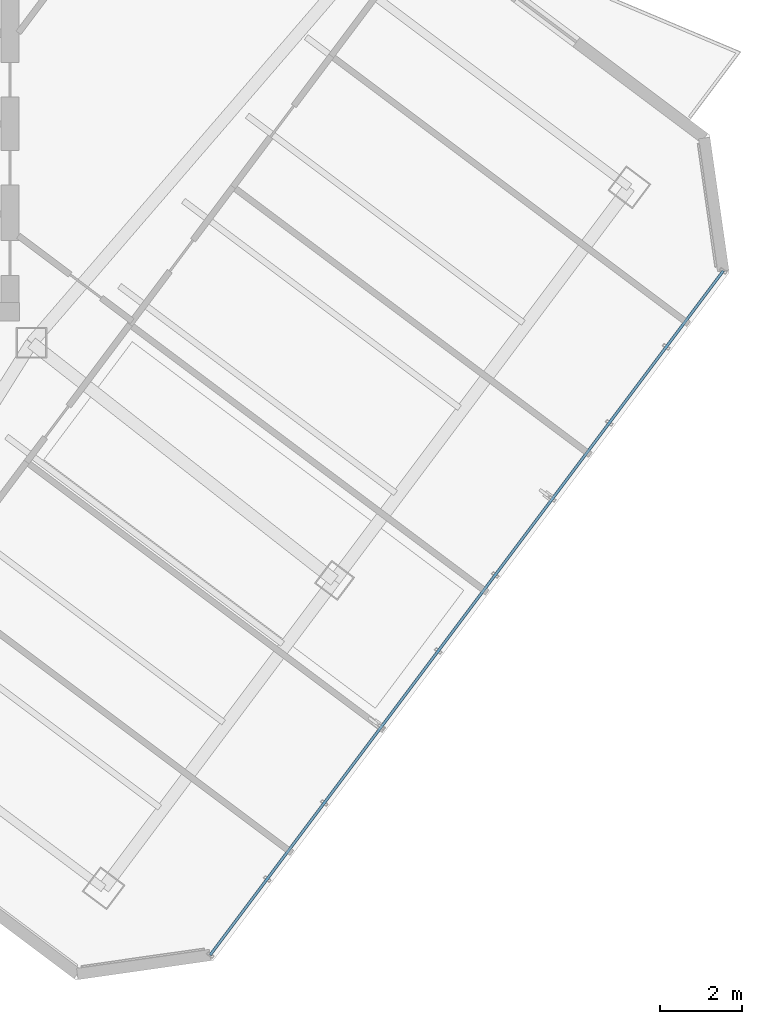
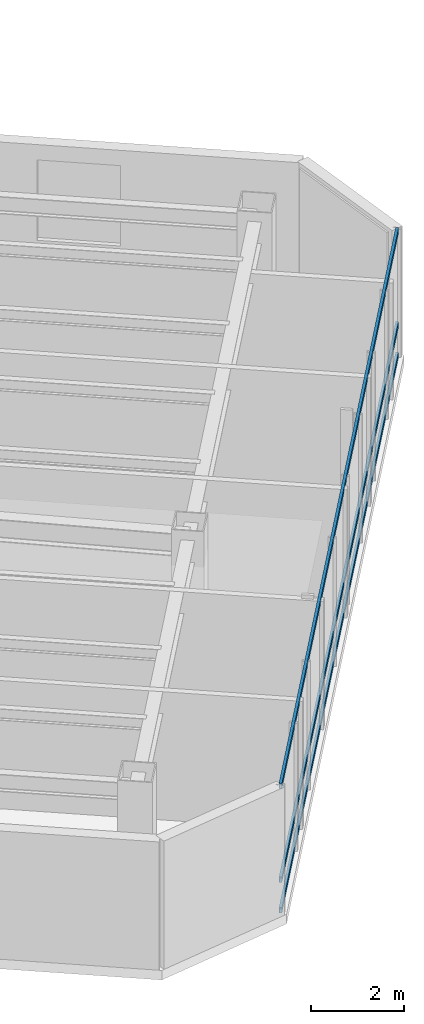
# One storey, part 12 of 26: 3 members, 1 element without a shape of its own.
"""IFC4 building model written with IfcOpenShell, lengths in metres."""

from ifc_helpers import new_model, si_unit, direction, frame, origin, origin_2d, place, context, subcontext, project, spatial, hollow_rectangle, extrude, material, layer, layer_set, material_profile, profile_set, type_object, element, aggregate, save


model = new_model("IFC4")

# Units and contexts
model_context = context("Model", 3, precision=1e-05, world=origin(), true_north=direction((0.0, 1.0)))
body_context = subcontext(model_context, "Body", "Model", "MODEL_VIEW")
ifc_project = project(units=[si_unit("LENGTHUNIT", "METRE"), si_unit("AREAUNIT", "SQUARE_METRE"), si_unit("VOLUMEUNIT", "CUBIC_METRE"), si_unit("PLANEANGLEUNIT", "RADIAN"), si_unit("MASSUNIT", "GRAM", prefix="KILO")], contexts=[model_context])

# Site, building, storey
site_placement = place(None, origin())
site = spatial("IfcSite", under=ifc_project, at=site_placement, CompositionType="ELEMENT")
building_placement = place(site_placement, origin())
building = spatial("IfcBuilding", under=site, at=building_placement, Name="Hatsunagi Terrace Concourse", CompositionType="ELEMENT")
storey_placement = place(building_placement, frame((0.0, 0.0, 195.14990234375)))
storey = spatial("IfcBuildingStorey", under=building, at=storey_placement, Name="L51", CompositionType="ELEMENT", Elevation=195.14990234375)

# Curtain wall, members
ifc_material_1 = material(Name="Anodised Aluminium Alloy 6063-T5", Category="aluminium")
ifc_layer = layer(ifc_material_1, 0.199951171875)
ifc_layer_set = layer_set([ifc_layer], Name="OfficeZone2_CW04")
curtain_wall_type = type_object("IfcCurtainWallType", Name="OfficeZone2_CW04", PredefinedType="NOTDEFINED", material=ifc_layer_set)
curtain_wall_placement = place(storey_placement, origin())
curtain_wall = element("IfcCurtainWall", 1, at=curtain_wall_placement, inside=storey, type_object=curtain_wall_type, Name="Unitised Curtain Wall CW-04 CW-L51-03", PredefinedType="NOTDEFINED")
ifc_material_2 = material(Name="Anodised Aluminium Alloy 6063-T5", Category="aluminium")
ifc_material_profile = material_profile(ifc_material_2, hollow_rectangle(XDim=0.06494140625, YDim=0.139892578125, WallThickness=0.00390625, at=origin_2d()), Name="ALU-TRN-140x65x4")
ifc_profile_set = profile_set([ifc_material_profile], Name="Anodised Aluminium Alloy 6063-T5")
member_type = type_object("IfcMemberType", Name="CurtainWallTransom_140x65", PredefinedType="USERDEFINED", material=ifc_profile_set)
member_1_placement = place(storey_placement, frame((60.693115234375, 25.9580078125, 0.050048828125), z_axis=(-0.599970072971, -0.800022444397, 0.0), x_axis=(0.800022444397, -0.599970072971, 0.0)))
member_1 = element("IfcMember", 2, at=member_1_placement, type_object=member_type, Name="Curtain Wall Transom TRN-02", ObjectType="TRANSOM", PredefinedType="USERDEFINED", context=body_context, shape_type="SweptSolid", body=[
    extrude(hollow_rectangle(XDim=0.06494140625, YDim=0.139892578125, WallThickness=0.00390625, at=origin_2d()), origin(), (0.0, 0.0, 1.0), 20.884521484375),
])
member_2_placement = place(storey_placement, frame((60.693115234375, 25.9580078125, 0.85009765625), z_axis=(-0.599970072971, -0.800022444397, 0.0), x_axis=(0.800022444397, -0.599970072971, 0.0)))
member_2 = element("IfcMember", 3, at=member_2_placement, type_object=member_type, Name="Curtain Wall Transom TRN-02", ObjectType="TRANSOM", PredefinedType="USERDEFINED", context=body_context, shape_type="SweptSolid", body=[
    extrude(hollow_rectangle(XDim=0.06494140625, YDim=0.139892578125, WallThickness=0.00390625, at=origin_2d()), origin(), (0.0, 0.0, 1.0), 20.884521484375),
])
member_3_placement = place(storey_placement, frame((60.693115234375, 25.9580078125, 3.300048828125), z_axis=(-0.599970072971, -0.800022444397, 0.0), x_axis=(0.800022444397, -0.599970072971, 0.0)))
member_3 = element("IfcMember", 4, at=member_3_placement, type_object=member_type, Name="Curtain Wall Transom TRN-02", ObjectType="TRANSOM", PredefinedType="USERDEFINED", context=body_context, shape_type="SweptSolid", body=[
    extrude(hollow_rectangle(XDim=0.06494140625, YDim=0.139892578125, WallThickness=0.00390625, at=origin_2d()), origin(), (0.0, 0.0, 1.0), 20.884521484375),
])
aggregate(curtain_wall, [member_1, member_2, member_3])

save(model, "model.ifc")
